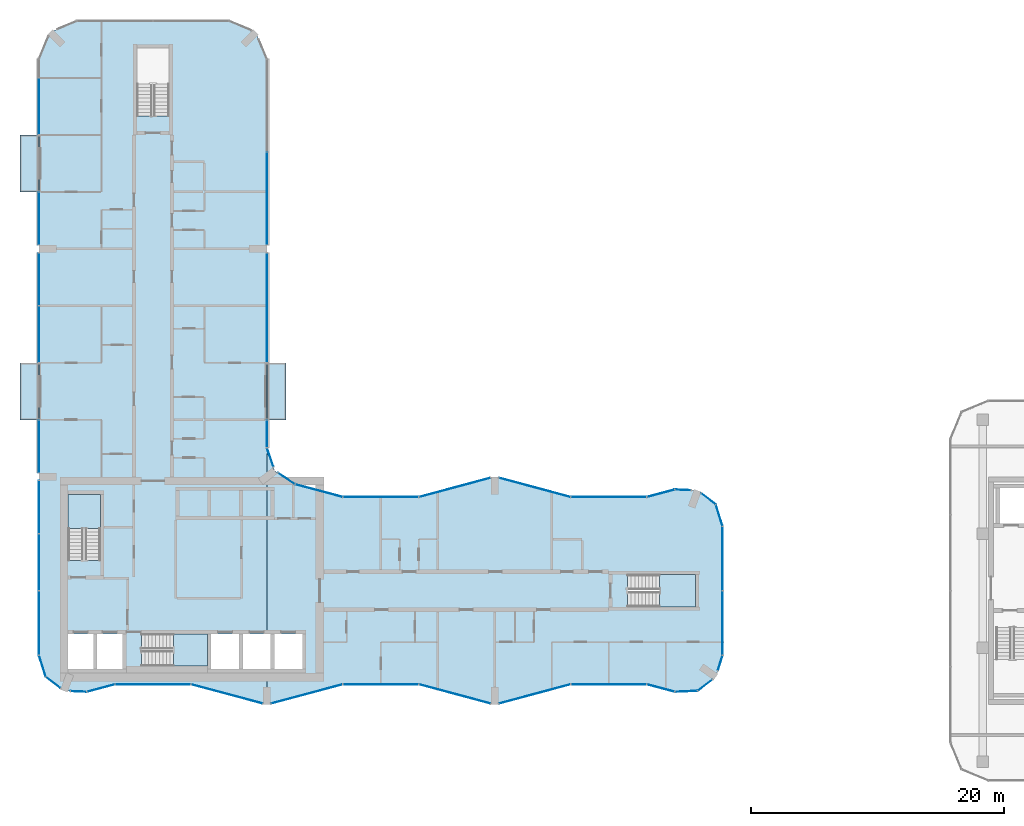
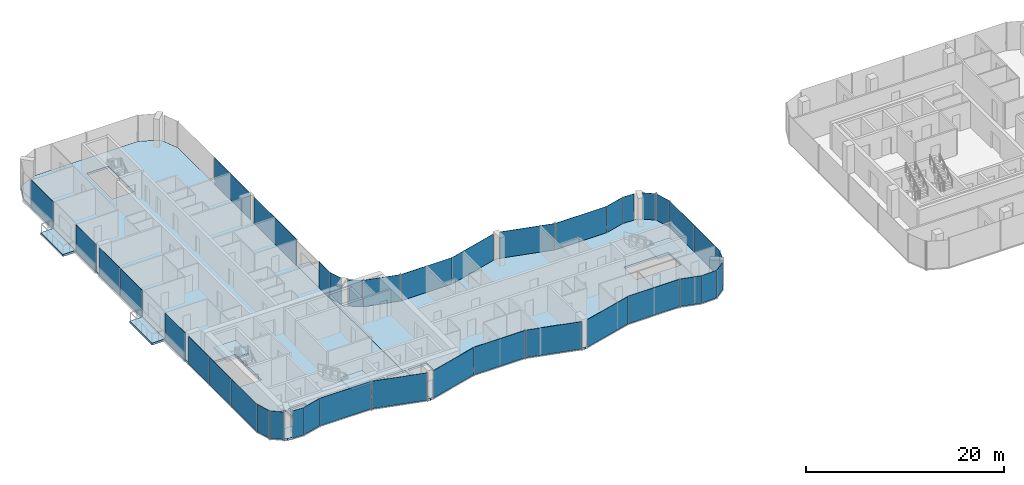
# One storey, part 11 of 22: 39 plates, 8 slabs, 38 elements without a shape of their own.
"""IFC4 building model written with IfcOpenShell, lengths in metres."""

from ifc_helpers import new_model, si_unit, direction, frame, origin, origin_2d, place, context, subcontext, project, spatial, polyline, rectangle, outline, extrude, material, layer, layer_set, type_object, element, aggregate, save


model = new_model("IFC4")

# Units and contexts
model_context = context("Model", 3, precision=1e-05, world=origin(), true_north=direction((0.0, 1.0)))
body_context = subcontext(model_context, "Body", "Model", "MODEL_VIEW")
ifc_project = project(units=[si_unit("LENGTHUNIT", "METRE"), si_unit("AREAUNIT", "SQUARE_METRE"), si_unit("VOLUMEUNIT", "CUBIC_METRE"), si_unit("PLANEANGLEUNIT", "RADIAN"), si_unit("MASSUNIT", "GRAM", prefix="KILO")], contexts=[model_context])

# Site, building, storey
site_placement = place(None, origin())
site = spatial("IfcSite", under=ifc_project, at=site_placement, CompositionType="ELEMENT")
building_placement = place(site_placement, origin())
building = spatial("IfcBuilding", under=site, at=building_placement, Name="Plateau Cross Towers", CompositionType="ELEMENT")
storey_placement = place(building_placement, frame((0.0, 0.0, 113.300048828125)))
storey = spatial("IfcBuildingStorey", under=building, at=storey_placement, Name="L29", CompositionType="ELEMENT", Elevation=113.300048828125)

# Slabs
ifc_material_1 = material(Name="Concrete C40/50", Category="concrete")
ifc_layer_1 = layer(ifc_material_1, 0.25)
ifc_layer_set_1 = layer_set([ifc_layer_1], Name="Concrete C40/50")
slab_type_1 = type_object("IfcSlabType", Name="Balcony slab 250", PredefinedType="FLOOR", material=ifc_layer_set_1)
slab_1_placement = place(storey_placement, frame((0.0, 0.0, -0.25)))
element("IfcSlab", 1, at=slab_1_placement, inside=storey, type_object=slab_type_1, Name="Balcony slab A-BAL-L29-01", PredefinedType="FLOOR", context=body_context, shape_type="SweptSolid", body=[
    extrude(outline(polyline([(0.0, 22.5), (0.0, 27.0), (-1.5, 27.0), (-1.5, 22.5), (0.0, 22.5)])), origin(), (0.0, 0.0, 1.0), 0.25),
])
slab_2_placement = place(storey_placement, frame((0.0, 0.0, -0.25)))
element("IfcSlab", 2, at=slab_2_placement, inside=storey, type_object=slab_type_1, Name="Balcony slab A-BAL-L29-02", PredefinedType="FLOOR", context=body_context, shape_type="SweptSolid", body=[
    extrude(outline(polyline([(0.0, 40.5), (0.0, 45.0), (-1.5, 45.0), (-1.5, 40.5), (0.0, 40.5)])), origin(), (0.0, 0.0, 1.0), 0.25),
])
slab_3_placement = place(storey_placement, frame((0.0, 0.0, -0.25)))
element("IfcSlab", 3, at=slab_3_placement, inside=storey, type_object=slab_type_1, Name="Balcony slab A-BAL-L29-03", PredefinedType="FLOOR", context=body_context, shape_type="SweptSolid", body=[
    extrude(outline(polyline([(19.5, 22.5), (19.5, 27.0), (18.0, 27.0), (18.0, 22.5), (19.5, 22.5)])), origin(), (0.0, 0.0, 1.0), 0.25),
])

# Curtain wall, plate
ifc_material_2 = material(Name="Dark low-iron glass", Category="glass")
ifc_layer_2 = layer(ifc_material_2, 0.239990234375)
ifc_layer_set_2 = layer_set([ifc_layer_2], Name="Dark low-iron glass")
curtain_wall_type_1 = type_object("IfcCurtainWallType", Name="Curtain wall flush unitised CW-B", PredefinedType="NOTDEFINED", material=ifc_layer_set_2)
curtain_wall_1_placement = place(storey_placement, origin())
curtain_wall_1 = element("IfcCurtainWall", 4, at=curtain_wall_1_placement, inside=storey, type_object=curtain_wall_type_1, Name="ENV/A/L29/A502_10", PredefinedType="NOTDEFINED")
ifc_layer_3 = layer(ifc_material_2, 0.031982421875)
ifc_layer_set_3 = layer_set([ifc_layer_3], Name="Dark low-iron glass")
plate_type_1 = type_object("IfcPlateType", Name="Glass panel 32 flush unitised", PredefinedType="CURTAIN_PANEL", material=ifc_layer_set_3)
plate_1_placement = place(storey_placement, frame((51.125, 1.05078125, -0.1298828125), z_axis=(0.0, 0.0, 1.0), x_axis=(0.999043701491, 0.043722791671, 0.0)))
plate_1 = element("IfcPlate", 5, at=plate_1_placement, type_object=plate_type_1, Name="CW-B panel 1", PredefinedType="CURTAIN_PANEL", context=body_context, shape_type="SweptSolid", body=[
    extrude(rectangle(XDim=1.744140625, YDim=0.031982421875, at=origin_2d()), origin(), (0.0, 0.0, 1.0), 3.3798828125),
])
aggregate(curtain_wall_1, [plate_1])

curtain_wall_2_placement = place(storey_placement, origin())
curtain_wall_2 = element("IfcCurtainWall", 6, at=curtain_wall_2_placement, inside=storey, type_object=curtain_wall_type_1, Name="ENV/A/L29/A520_11", PredefinedType="NOTDEFINED")
plate_2_placement = place(storey_placement, frame((52.60986328125, 1.5380859375, -0.1298828125), z_axis=(0.0, 0.0, 1.0), x_axis=(0.793315514529, 0.608810721331, 0.0)))
plate_2 = element("IfcPlate", 7, at=plate_2_placement, type_object=plate_type_1, Name="CW-B panel 1", PredefinedType="CURTAIN_PANEL", context=body_context, shape_type="SweptSolid", body=[
    extrude(rectangle(XDim=1.41162109375, YDim=0.031982421875, at=origin_2d()), origin(), (0.0, 0.0, 1.0), 3.3798828125),
])
aggregate(curtain_wall_2, [plate_2])

curtain_wall_3_placement = place(storey_placement, origin())
curtain_wall_3 = element("IfcCurtainWall", 8, at=curtain_wall_3_placement, inside=storey, type_object=curtain_wall_type_1, Name="ENV/A/L29/A536_27", PredefinedType="NOTDEFINED")
plate_3_placement = place(storey_placement, frame((53.805419921875, 3.292236328125, -0.1298828125), z_axis=(0.0, 0.0, 1.0), x_axis=(0.300686174994, 0.95372313811, 0.0)))
plate_3 = element("IfcPlate", 9, at=plate_3_placement, type_object=plate_type_1, Name="CW-B panel 1", PredefinedType="CURTAIN_PANEL", context=body_context, shape_type="SweptSolid", body=[
    extrude(rectangle(XDim=1.233642578125, YDim=0.031982421875, at=origin_2d()), origin(), (0.0, 0.0, 1.0), 3.3798828125),
])
aggregate(curtain_wall_3, [plate_3])

# Curtain wall, plates
curtain_wall_4_placement = place(storey_placement, origin())
curtain_wall_4 = element("IfcCurtainWall", 10, at=curtain_wall_4_placement, inside=storey, type_object=curtain_wall_type_1, Name="ENV/A/L29/A540_39", PredefinedType="NOTDEFINED")
plate_4_placement = place(storey_placement, frame((54.0, 6.45458984375, -0.1298828125), z_axis=(0.0, 0.0, 1.0), x_axis=(0.0, 1.0, 0.0)))
plate_4 = element("IfcPlate", 11, at=plate_4_placement, type_object=plate_type_1, Name="CW-B panel 1", PredefinedType="CURTAIN_PANEL", context=body_context, shape_type="SweptSolid", body=[
    extrude(rectangle(XDim=5.03076171875, YDim=0.031982421875, at=origin_2d()), origin(), (0.0, 0.0, 1.0), 3.3798828125),
])
plate_5_placement = place(storey_placement, frame((54.0, 11.54541015625, -0.1298828125), z_axis=(0.0, 0.0, 1.0), x_axis=(0.0, 1.0, 0.0)))
plate_5 = element("IfcPlate", 12, at=plate_5_placement, type_object=plate_type_1, Name="CW-B panel 2", PredefinedType="CURTAIN_PANEL", context=body_context, shape_type="SweptSolid", body=[
    extrude(rectangle(XDim=5.03076171875, YDim=0.031982421875, at=origin_2d()), origin(), (0.0, 0.0, 1.0), 3.3798828125),
])
aggregate(curtain_wall_4, [plate_4, plate_5])

# Curtain wall, plate
curtain_wall_5_placement = place(storey_placement, origin())
curtain_wall_5 = element("IfcCurtainWall", 13, at=curtain_wall_5_placement, inside=storey, type_object=curtain_wall_type_1, Name="ENV/A/L29/A540_141", PredefinedType="NOTDEFINED")
plate_6_placement = place(storey_placement, frame((53.728759765625, 14.951171875, -0.1298828125), z_axis=(0.0, 0.0, 1.0), x_axis=(-0.300686174994, 0.95372313811, 0.0)))
plate_6 = element("IfcPlate", 14, at=plate_6_placement, type_object=plate_type_1, Name="CW-B panel 1", PredefinedType="CURTAIN_PANEL", context=body_context, shape_type="SweptSolid", body=[
    extrude(rectangle(XDim=1.744140625, YDim=0.031982421875, at=origin_2d()), origin(), (0.0, 0.0, 1.0), 3.3798828125),
])
aggregate(curtain_wall_5, [plate_6])

curtain_wall_6_placement = place(storey_placement, origin())
curtain_wall_6 = element("IfcCurtainWall", 15, at=curtain_wall_6_placement, inside=storey, type_object=curtain_wall_type_1, Name="ENV/A/L29/A535_158", PredefinedType="NOTDEFINED")
plate_7_placement = place(storey_placement, frame((52.873779296875, 16.25927734375, -0.1298828125), z_axis=(0.0, 0.0, 1.0), x_axis=(-0.793315514529, 0.608810721331, 0.0)))
plate_7 = element("IfcPlate", 16, at=plate_7_placement, type_object=plate_type_1, Name="CW-B panel 1", PredefinedType="CURTAIN_PANEL", context=body_context, shape_type="SweptSolid", body=[
    extrude(rectangle(XDim=1.41162109375, YDim=0.031982421875, at=origin_2d()), origin(), (0.0, 0.0, 1.0), 3.3798828125),
])
aggregate(curtain_wall_6, [plate_7])

curtain_wall_7_placement = place(storey_placement, origin())
curtain_wall_7 = element("IfcCurtainWall", 17, at=curtain_wall_7_placement, inside=storey, type_object=curtain_wall_type_1, Name="ENV/A/L29/A515_169", PredefinedType="NOTDEFINED")
plate_8_placement = place(storey_placement, frame((50.8701171875, 16.96044921875, -0.1298828125), z_axis=(0.0, 0.0, 1.0), x_axis=(-0.999043701491, 0.043722791671, 0.0)))
plate_8 = element("IfcPlate", 18, at=plate_8_placement, type_object=plate_type_1, Name="CW-B panel 1", PredefinedType="CURTAIN_PANEL", context=body_context, shape_type="SweptSolid", body=[
    extrude(rectangle(XDim=1.233642578125, YDim=0.031982421875, at=origin_2d()), origin(), (0.0, 0.0, 1.0), 3.3798828125),
])
aggregate(curtain_wall_7, [plate_8])

curtain_wall_8_placement = place(storey_placement, origin())
curtain_wall_8 = element("IfcCurtainWall", 19, at=curtain_wall_8_placement, inside=storey, type_object=curtain_wall_type_1, Name="ENV/A/L29/A202_174", PredefinedType="NOTDEFINED")
plate_9_placement = place(storey_placement, frame((19.546630859375, 17.856689453125, -0.1298828125), z_axis=(0.0, 0.0, 1.0), x_axis=(-0.831521253329, 0.555492938984, 0.0)))
plate_9 = element("IfcPlate", 20, at=plate_9_placement, type_object=plate_type_1, Name="CW-B panel 1", PredefinedType="CURTAIN_PANEL", context=body_context, shape_type="SweptSolid", body=[
    extrude(rectangle(XDim=1.56884765625, YDim=0.031982421875, at=origin_2d()), origin(), (0.0, 0.0, 1.0), 3.3798828125),
])
aggregate(curtain_wall_8, [plate_9])

curtain_wall_9_placement = place(storey_placement, origin())
curtain_wall_9 = element("IfcCurtainWall", 21, at=curtain_wall_9_placement, inside=storey, type_object=curtain_wall_type_1, Name="ENV/A/L29/A185_188", PredefinedType="NOTDEFINED")
plate_10_placement = place(storey_placement, frame((18.26171875, 19.531005859375, -0.1298828125), z_axis=(0.0, 0.0, 1.0), x_axis=(-0.321469161574, 0.94692004845, 0.0)))
plate_10 = element("IfcPlate", 22, at=plate_10_placement, type_object=plate_type_1, Name="CW-B panel 1", PredefinedType="CURTAIN_PANEL", context=body_context, shape_type="SweptSolid", body=[
    extrude(rectangle(XDim=1.56884765625, YDim=0.031982421875, at=origin_2d()), origin(), (0.0, 0.0, 1.0), 3.3798828125),
])
aggregate(curtain_wall_9, [plate_10])

curtain_wall_10_placement = place(storey_placement, origin())
curtain_wall_10 = element("IfcCurtainWall", 23, at=curtain_wall_10_placement, inside=storey, type_object=curtain_wall_type_1, Name="ENV/A/L29/A180_203", PredefinedType="NOTDEFINED")
plate_11_placement = place(storey_placement, frame((18.0, 21.396240234375, -0.1298828125), z_axis=(0.0, 0.0, 1.0), x_axis=(0.0, 1.0, 0.0)))
plate_11 = element("IfcPlate", 24, at=plate_11_placement, type_object=plate_type_1, Name="CW-B panel 1", PredefinedType="CURTAIN_PANEL", context=body_context, shape_type="SweptSolid", body=[
    extrude(rectangle(XDim=2.127685546875, YDim=0.031982421875, at=origin_2d()), origin(), (0.0, 0.0, 1.0), 3.3798828125),
])
aggregate(curtain_wall_10, [plate_11])

curtain_wall_11_placement = place(storey_placement, origin())
curtain_wall_11 = element("IfcCurtainWall", 25, at=curtain_wall_11_placement, inside=storey, type_object=curtain_wall_type_1, Name="ENV/A/L29/A180_270", PredefinedType="NOTDEFINED")
plate_12_placement = place(storey_placement, frame((18.0, 31.35498046875, -0.1298828125), z_axis=(0.0, 0.0, 1.0), x_axis=(0.0, 1.0, 0.0)))
plate_12 = element("IfcPlate", 26, at=plate_12_placement, type_object=plate_type_1, Name="CW-B panel 1", PredefinedType="CURTAIN_PANEL", context=body_context, shape_type="SweptSolid", body=[
    extrude(rectangle(XDim=8.6298828125, YDim=0.031982421875, at=origin_2d()), origin(), (0.0, 0.0, 1.0), 3.3798828125),
])
aggregate(curtain_wall_11, [plate_12])

curtain_wall_12_placement = place(storey_placement, origin())
curtain_wall_12 = element("IfcCurtainWall", 27, at=curtain_wall_12_placement, inside=storey, type_object=curtain_wall_type_1, Name="ENV/A/L29/A180_363", PredefinedType="NOTDEFINED")
plate_13_placement = place(storey_placement, frame((18.0, 39.97509765625, -0.1298828125), z_axis=(0.0, 0.0, 1.0), x_axis=(0.0, 1.0, 0.0)))
plate_13 = element("IfcPlate", 28, at=plate_13_placement, type_object=plate_type_1, Name="CW-B panel 1", PredefinedType="CURTAIN_PANEL", context=body_context, shape_type="SweptSolid", body=[
    extrude(rectangle(XDim=7.2900390625, YDim=0.031982421875, at=origin_2d()), origin(), (0.0, 0.0, 1.0), 3.3798828125),
])
aggregate(curtain_wall_12, [plate_13])

curtain_wall_13_placement = place(storey_placement, origin())
curtain_wall_13 = element("IfcCurtainWall", 29, at=curtain_wall_13_placement, inside=storey, type_object=curtain_wall_type_1, Name="ENV/A/L29/A0_510", PredefinedType="NOTDEFINED")
plate_14_placement = place(storey_placement, frame((0.0, 47.2548828125, -0.1298828125), z_axis=(0.0, 0.0, 1.0), x_axis=(0.0, -1.0, 0.0)))
plate_14 = element("IfcPlate", 30, at=plate_14_placement, type_object=plate_type_1, Name="CW-B panel 2", PredefinedType="CURTAIN_PANEL", context=body_context, shape_type="SweptSolid", body=[
    extrude(rectangle(XDim=4.429931640625, YDim=0.031982421875, at=origin_2d()), origin(), (0.0, 0.0, 1.0), 3.3798828125),
])
aggregate(curtain_wall_13, [plate_14])

curtain_wall_14_placement = place(storey_placement, origin())
curtain_wall_14 = element("IfcCurtainWall", 31, at=curtain_wall_14_placement, inside=storey, type_object=curtain_wall_type_1, Name="ENV/A/L29/A0_405", PredefinedType="NOTDEFINED")
plate_15_placement = place(storey_placement, frame((0.0, 38.39501953125, -0.1298828125), z_axis=(0.0, 0.0, 1.0), x_axis=(0.0, -1.0, 0.0)))
plate_15 = element("IfcPlate", 32, at=plate_15_placement, type_object=plate_type_1, Name="CW-B panel 1", PredefinedType="CURTAIN_PANEL", context=body_context, shape_type="SweptSolid", body=[
    extrude(rectangle(XDim=4.1298828125, YDim=0.031982421875, at=origin_2d()), origin(), (0.0, 0.0, 1.0), 3.3798828125),
])
aggregate(curtain_wall_14, [plate_15])

# Curtain wall, plates
curtain_wall_15_placement = place(storey_placement, origin())
curtain_wall_15 = element("IfcCurtainWall", 33, at=curtain_wall_15_placement, inside=storey, type_object=curtain_wall_type_1, Name="ENV/A/L29/A0_357", PredefinedType="NOTDEFINED")
plate_16_placement = place(storey_placement, frame((0.0, 33.60009765625, -0.1298828125), z_axis=(0.0, 0.0, 1.0), x_axis=(0.0, -1.0, 0.0)))
plate_16 = element("IfcPlate", 34, at=plate_16_placement, type_object=plate_type_1, Name="CW-B panel 1", PredefinedType="CURTAIN_PANEL", context=body_context, shape_type="SweptSolid", body=[
    extrude(rectangle(XDim=4.139892578125, YDim=0.031982421875, at=origin_2d()), origin(), (0.0, 0.0, 1.0), 3.3798828125),
])
plate_17_placement = place(storey_placement, frame((0.0, 29.2548828125, -0.1298828125), z_axis=(0.0, 0.0, 1.0), x_axis=(0.0, -1.0, 0.0)))
plate_17 = element("IfcPlate", 35, at=plate_17_placement, type_object=plate_type_1, Name="CW-B panel 2", PredefinedType="CURTAIN_PANEL", context=body_context, shape_type="SweptSolid", body=[
    extrude(rectangle(XDim=4.429931640625, YDim=0.031982421875, at=origin_2d()), origin(), (0.0, 0.0, 1.0), 3.3798828125),
])
aggregate(curtain_wall_15, [plate_16, plate_17])

# Curtain wall, plate
curtain_wall_16_placement = place(storey_placement, origin())
curtain_wall_16 = element("IfcCurtainWall", 36, at=curtain_wall_16_placement, inside=storey, type_object=curtain_wall_type_1, Name="ENV/A/L29/A0_225", PredefinedType="NOTDEFINED")
plate_18_placement = place(storey_placement, frame((0.0, 20.39501953125, -0.1298828125), z_axis=(0.0, 0.0, 1.0), x_axis=(0.0, -1.0, 0.0)))
plate_18 = element("IfcPlate", 37, at=plate_18_placement, type_object=plate_type_1, Name="CW-B panel 1", PredefinedType="CURTAIN_PANEL", context=body_context, shape_type="SweptSolid", body=[
    extrude(rectangle(XDim=4.1298828125, YDim=0.031982421875, at=origin_2d()), origin(), (0.0, 0.0, 1.0), 3.3798828125),
])
aggregate(curtain_wall_16, [plate_18])

# Curtain wall, plates
curtain_wall_17_placement = place(storey_placement, origin())
curtain_wall_17 = element("IfcCurtainWall", 38, at=curtain_wall_17_placement, inside=storey, type_object=curtain_wall_type_1, Name="ENV/A/L29/A0_177", PredefinedType="NOTDEFINED")
plate_19_placement = place(storey_placement, frame((0.0, 15.60009765625, -0.1298828125), z_axis=(0.0, 0.0, 1.0), x_axis=(0.0, -1.0, 0.0)))
plate_19 = element("IfcPlate", 39, at=plate_19_placement, type_object=plate_type_1, Name="CW-B panel 1", PredefinedType="CURTAIN_PANEL", context=body_context, shape_type="SweptSolid", body=[
    extrude(rectangle(XDim=4.139892578125, YDim=0.031982421875, at=origin_2d()), origin(), (0.0, 0.0, 1.0), 3.3798828125),
])
plate_20_placement = place(storey_placement, frame((0.0, 11.25, -0.1298828125), z_axis=(0.0, 0.0, 1.0), x_axis=(0.0, -1.0, 0.0)))
plate_20 = element("IfcPlate", 40, at=plate_20_placement, type_object=plate_type_1, Name="CW-B panel 2", PredefinedType="CURTAIN_PANEL", context=body_context, shape_type="SweptSolid", body=[
    extrude(rectangle(XDim=4.43994140625, YDim=0.031982421875, at=origin_2d()), origin(), (0.0, 0.0, 1.0), 3.3798828125),
])
plate_21_placement = place(storey_placement, frame((0.0, 6.45458984375, -0.1298828125), z_axis=(0.0, 0.0, 1.0), x_axis=(0.0, -1.0, 0.0)))
plate_21 = element("IfcPlate", 41, at=plate_21_placement, type_object=plate_type_1, Name="CW-B panel 3", PredefinedType="CURTAIN_PANEL", context=body_context, shape_type="SweptSolid", body=[
    extrude(rectangle(XDim=5.03076171875, YDim=0.031982421875, at=origin_2d()), origin(), (0.0, 0.0, 1.0), 3.3798828125),
])
aggregate(curtain_wall_17, [plate_19, plate_20, plate_21])

# Curtain wall, plate
curtain_wall_18_placement = place(storey_placement, origin())
curtain_wall_18 = element("IfcCurtainWall", 42, at=curtain_wall_18_placement, inside=storey, type_object=curtain_wall_type_1, Name="ENV/A/L29/A0_39", PredefinedType="NOTDEFINED")
plate_22_placement = place(storey_placement, frame((0.271240234375, 3.048828125, -0.1298828125), z_axis=(0.0, 0.0, 1.0), x_axis=(0.300686174994, -0.95372313811, 0.0)))
plate_22 = element("IfcPlate", 43, at=plate_22_placement, type_object=plate_type_1, Name="CW-B panel 1", PredefinedType="CURTAIN_PANEL", context=body_context, shape_type="SweptSolid", body=[
    extrude(rectangle(XDim=1.744140625, YDim=0.031982421875, at=origin_2d()), origin(), (0.0, 0.0, 1.0), 3.3798828125),
])
aggregate(curtain_wall_18, [plate_22])

curtain_wall_19_placement = place(storey_placement, origin())
curtain_wall_19 = element("IfcCurtainWall", 44, at=curtain_wall_19_placement, inside=storey, type_object=curtain_wall_type_1, Name="ENV/A/L29/A5_22", PredefinedType="NOTDEFINED")
plate_23_placement = place(storey_placement, frame((1.126220703125, 1.74072265625, -0.1298828125), z_axis=(0.0, 0.0, 1.0), x_axis=(0.793315514529, -0.608810721331, 0.0)))
plate_23 = element("IfcPlate", 45, at=plate_23_placement, type_object=plate_type_1, Name="CW-B panel 1", PredefinedType="CURTAIN_PANEL", context=body_context, shape_type="SweptSolid", body=[
    extrude(rectangle(XDim=1.41162109375, YDim=0.031982421875, at=origin_2d()), origin(), (0.0, 0.0, 1.0), 3.3798828125),
])
aggregate(curtain_wall_19, [plate_23])

curtain_wall_20_placement = place(storey_placement, origin())
curtain_wall_20 = element("IfcCurtainWall", 46, at=curtain_wall_20_placement, inside=storey, type_object=curtain_wall_type_1, Name="ENV/A/L29/A25_11", PredefinedType="NOTDEFINED")
plate_24_placement = place(storey_placement, frame((3.1298828125, 1.03955078125, -0.1298828125), z_axis=(0.0, 0.0, 1.0), x_axis=(0.999043701491, -0.043722791671, 0.0)))
plate_24 = element("IfcPlate", 47, at=plate_24_placement, type_object=plate_type_1, Name="CW-B panel 1", PredefinedType="CURTAIN_PANEL", context=body_context, shape_type="SweptSolid", body=[
    extrude(rectangle(XDim=1.233642578125, YDim=0.031982421875, at=origin_2d()), origin(), (0.0, 0.0, 1.0), 3.3798828125),
])
aggregate(curtain_wall_20, [plate_24])

ifc_layer_4 = layer(ifc_material_2, 0.260009765625)
ifc_layer_set_4 = layer_set([ifc_layer_4], Name="Dark low-iron glass")
curtain_wall_type_2 = type_object("IfcCurtainWallType", Name="Curtain wall fluted unitised CW-A", PredefinedType="NOTDEFINED", material=ifc_layer_set_4)
curtain_wall_21_placement = place(storey_placement, origin())
curtain_wall_21 = element("IfcCurtainWall", 48, at=curtain_wall_21_placement, inside=storey, type_object=curtain_wall_type_2, Name="ENV/A/L29/A38_10", PredefinedType="NOTDEFINED")
ifc_layer_5 = layer(ifc_material_2, 0.035888671875)
ifc_layer_set_5 = layer_set([ifc_layer_5], Name="Dark low-iron glass")
plate_type_2 = type_object("IfcPlateType", Name="Glass panel 36 fluted unitised", PredefinedType="CURTAIN_PANEL", material=ifc_layer_set_5)
plate_25_placement = place(storey_placement, frame((4.887939453125, 1.30908203125, -0.1298828125), z_axis=(0.0, 0.0, 1.0), x_axis=(0.965957962328, 0.258699081978, 0.0)))
plate_25 = element("IfcPlate", 49, at=plate_25_placement, type_object=plate_type_2, Name="CW-A panel 1", PredefinedType="CURTAIN_PANEL", context=body_context, shape_type="SweptSolid", body=[
    extrude(rectangle(XDim=2.2421875, YDim=0.035888671875, at=origin_2d()), origin(), (0.0, 0.0, 1.0), 3.3798828125),
])
aggregate(curtain_wall_21, [plate_25])

curtain_wall_22_placement = place(storey_placement, origin())
curtain_wall_22 = element("IfcCurtainWall", 50, at=curtain_wall_22_placement, inside=storey, type_object=curtain_wall_type_2, Name="ENV/A/L29/A60_16", PredefinedType="NOTDEFINED")
plate_26_placement = place(storey_placement, frame((9.0, 1.60693359375, -0.1298828125), z_axis=(0.0, 0.0, 1.0), x_axis=(1.0, 0.0, 0.0)))
plate_26 = element("IfcPlate", 51, at=plate_26_placement, type_object=plate_type_2, Name="CW-A panel 1", PredefinedType="CURTAIN_PANEL", context=body_context, shape_type="SweptSolid", body=[
    extrude(rectangle(XDim=5.93994140625, YDim=0.035888671875, at=origin_2d()), origin(), (0.0, 0.0, 1.0), 3.3798828125),
])
aggregate(curtain_wall_22, [plate_26])

curtain_wall_23_placement = place(storey_placement, origin())
curtain_wall_23 = element("IfcCurtainWall", 52, at=curtain_wall_23_placement, inside=storey, type_object=curtain_wall_type_2, Name="ENV/A/L29/A120_16", PredefinedType="NOTDEFINED")
plate_27_placement = place(storey_placement, frame((14.841064453125, 0.845947265625, -0.1298828125), z_axis=(0.0, 0.0, 1.0), x_axis=(0.965957983404, -0.258699003279, 0.0)))
plate_27 = element("IfcPlate", 53, at=plate_27_placement, type_object=plate_type_2, Name="CW-A panel 1", PredefinedType="CURTAIN_PANEL", context=body_context, shape_type="SweptSolid", body=[
    extrude(rectangle(XDim=5.822265625, YDim=0.035888671875, at=origin_2d()), origin(), (0.0, 0.0, 1.0), 3.3798828125),
])
aggregate(curtain_wall_23, [plate_27])

curtain_wall_24_placement = place(storey_placement, origin())
curtain_wall_24 = element("IfcCurtainWall", 54, at=curtain_wall_24_placement, inside=storey, type_object=curtain_wall_type_2, Name="ENV/A/L29/A183_1", PredefinedType="NOTDEFINED")
plate_28_placement = place(storey_placement, frame((21.158935546875, 0.845947265625, -0.1298828125), z_axis=(0.0, 0.0, 1.0), x_axis=(0.965957983404, 0.258699003279, 0.0)))
plate_28 = element("IfcPlate", 55, at=plate_28_placement, type_object=plate_type_2, Name="CW-A panel 1", PredefinedType="CURTAIN_PANEL", context=body_context, shape_type="SweptSolid", body=[
    extrude(rectangle(XDim=5.822265625, YDim=0.035888671875, at=origin_2d()), origin(), (0.0, 0.0, 1.0), 3.3798828125),
])
aggregate(curtain_wall_24, [plate_28])

curtain_wall_25_placement = place(storey_placement, origin())
curtain_wall_25 = element("IfcCurtainWall", 56, at=curtain_wall_25_placement, inside=storey, type_object=curtain_wall_type_2, Name="ENV/A/L29/A240_16", PredefinedType="NOTDEFINED")
plate_29_placement = place(storey_placement, frame((27.0, 1.60693359375, -0.1298828125), z_axis=(0.0, 0.0, 1.0), x_axis=(1.0, 0.0, 0.0)))
plate_29 = element("IfcPlate", 57, at=plate_29_placement, type_object=plate_type_2, Name="CW-A panel 1", PredefinedType="CURTAIN_PANEL", context=body_context, shape_type="SweptSolid", body=[
    extrude(rectangle(XDim=5.93994140625, YDim=0.035888671875, at=origin_2d()), origin(), (0.0, 0.0, 1.0), 3.3798828125),
])
aggregate(curtain_wall_25, [plate_29])

curtain_wall_26_placement = place(storey_placement, origin())
curtain_wall_26 = element("IfcCurtainWall", 58, at=curtain_wall_26_placement, inside=storey, type_object=curtain_wall_type_2, Name="ENV/A/L29/A300_16", PredefinedType="NOTDEFINED")
plate_30_placement = place(storey_placement, frame((32.841064453125, 0.845947265625, -0.1298828125), z_axis=(0.0, 0.0, 1.0), x_axis=(0.965957983404, -0.258699003279, 0.0)))
plate_30 = element("IfcPlate", 59, at=plate_30_placement, type_object=plate_type_2, Name="CW-A panel 1", PredefinedType="CURTAIN_PANEL", context=body_context, shape_type="SweptSolid", body=[
    extrude(rectangle(XDim=5.822265625, YDim=0.035888671875, at=origin_2d()), origin(), (0.0, 0.0, 1.0), 3.3798828125),
])
aggregate(curtain_wall_26, [plate_30])

curtain_wall_27_placement = place(storey_placement, origin())
curtain_wall_27 = element("IfcCurtainWall", 60, at=curtain_wall_27_placement, inside=storey, type_object=curtain_wall_type_2, Name="ENV/A/L29/A363_1", PredefinedType="NOTDEFINED")
plate_31_placement = place(storey_placement, frame((39.158935546875, 0.845947265625, -0.1298828125), z_axis=(0.0, 0.0, 1.0), x_axis=(0.965957983404, 0.258699003279, 0.0)))
plate_31 = element("IfcPlate", 61, at=plate_31_placement, type_object=plate_type_2, Name="CW-A panel 1", PredefinedType="CURTAIN_PANEL", context=body_context, shape_type="SweptSolid", body=[
    extrude(rectangle(XDim=5.822265625, YDim=0.035888671875, at=origin_2d()), origin(), (0.0, 0.0, 1.0), 3.3798828125),
])
aggregate(curtain_wall_27, [plate_31])

curtain_wall_28_placement = place(storey_placement, origin())
curtain_wall_28 = element("IfcCurtainWall", 62, at=curtain_wall_28_placement, inside=storey, type_object=curtain_wall_type_2, Name="ENV/A/L29/A420_16", PredefinedType="NOTDEFINED")
plate_32_placement = place(storey_placement, frame((45.0, 1.60693359375, -0.1298828125), z_axis=(0.0, 0.0, 1.0), x_axis=(1.0, 0.0, 0.0)))
plate_32 = element("IfcPlate", 63, at=plate_32_placement, type_object=plate_type_2, Name="CW-A panel 1", PredefinedType="CURTAIN_PANEL", context=body_context, shape_type="SweptSolid", body=[
    extrude(rectangle(XDim=5.93994140625, YDim=0.035888671875, at=origin_2d()), origin(), (0.0, 0.0, 1.0), 3.3798828125),
])
aggregate(curtain_wall_28, [plate_32])

curtain_wall_29_placement = place(storey_placement, origin())
curtain_wall_29 = element("IfcCurtainWall", 64, at=curtain_wall_29_placement, inside=storey, type_object=curtain_wall_type_2, Name="ENV/A/L29/A480_16", PredefinedType="NOTDEFINED")
plate_33_placement = place(storey_placement, frame((49.112060546875, 1.30908203125, -0.1298828125), z_axis=(0.0, 0.0, 1.0), x_axis=(0.965957962328, -0.258699081978, 0.0)))
plate_33 = element("IfcPlate", 65, at=plate_33_placement, type_object=plate_type_2, Name="CW-A panel 1", PredefinedType="CURTAIN_PANEL", context=body_context, shape_type="SweptSolid", body=[
    extrude(rectangle(XDim=2.2421875, YDim=0.035888671875, at=origin_2d()), origin(), (0.0, 0.0, 1.0), 3.3798828125),
])
aggregate(curtain_wall_29, [plate_33])

curtain_wall_30_placement = place(storey_placement, origin())
curtain_wall_30 = element("IfcCurtainWall", 66, at=curtain_wall_30_placement, inside=storey, type_object=curtain_wall_type_2, Name="ENV/A/L29/A502_170", PredefinedType="NOTDEFINED")
plate_34_placement = place(storey_placement, frame((49.112060546875, 16.69091796875, -0.1298828125), z_axis=(0.0, 0.0, 1.0), x_axis=(-0.965957962328, -0.258699081978, 0.0)))
plate_34 = element("IfcPlate", 67, at=plate_34_placement, type_object=plate_type_2, Name="CW-A panel 1", PredefinedType="CURTAIN_PANEL", context=body_context, shape_type="SweptSolid", body=[
    extrude(rectangle(XDim=2.2421875, YDim=0.035888671875, at=origin_2d()), origin(), (0.0, 0.0, 1.0), 3.3798828125),
])
aggregate(curtain_wall_30, [plate_34])

curtain_wall_31_placement = place(storey_placement, origin())
curtain_wall_31 = element("IfcCurtainWall", 68, at=curtain_wall_31_placement, inside=storey, type_object=curtain_wall_type_2, Name="ENV/A/L29/A480_164", PredefinedType="NOTDEFINED")
plate_35_placement = place(storey_placement, frame((45.0, 16.39306640625, -0.1298828125), z_axis=(0.0, 0.0, 1.0), x_axis=(-1.0, 0.0, 0.0)))
plate_35 = element("IfcPlate", 69, at=plate_35_placement, type_object=plate_type_2, Name="CW-A panel 1", PredefinedType="CURTAIN_PANEL", context=body_context, shape_type="SweptSolid", body=[
    extrude(rectangle(XDim=5.93994140625, YDim=0.035888671875, at=origin_2d()), origin(), (0.0, 0.0, 1.0), 3.3798828125),
])
aggregate(curtain_wall_31, [plate_35])

curtain_wall_32_placement = place(storey_placement, origin())
curtain_wall_32 = element("IfcCurtainWall", 70, at=curtain_wall_32_placement, inside=storey, type_object=curtain_wall_type_2, Name="ENV/A/L29/A420_164", PredefinedType="NOTDEFINED")
plate_36_placement = place(storey_placement, frame((39.158935546875, 17.154052734375, -0.1298828125), z_axis=(0.0, 0.0, 1.0), x_axis=(-0.965957983404, 0.258699003279, 0.0)))
plate_36 = element("IfcPlate", 71, at=plate_36_placement, type_object=plate_type_2, Name="CW-A panel 1", PredefinedType="CURTAIN_PANEL", context=body_context, shape_type="SweptSolid", body=[
    extrude(rectangle(XDim=5.822265625, YDim=0.035888671875, at=origin_2d()), origin(), (0.0, 0.0, 1.0), 3.3798828125),
])
aggregate(curtain_wall_32, [plate_36])

curtain_wall_33_placement = place(storey_placement, origin())
curtain_wall_33 = element("IfcCurtainWall", 72, at=curtain_wall_33_placement, inside=storey, type_object=curtain_wall_type_2, Name="ENV/A/L29/A357_179", PredefinedType="NOTDEFINED")
plate_37_placement = place(storey_placement, frame((32.841064453125, 17.154052734375, -0.1298828125), z_axis=(0.0, 0.0, 1.0), x_axis=(-0.965957983404, -0.258699003279, 0.0)))
plate_37 = element("IfcPlate", 73, at=plate_37_placement, type_object=plate_type_2, Name="CW-A panel 1", PredefinedType="CURTAIN_PANEL", context=body_context, shape_type="SweptSolid", body=[
    extrude(rectangle(XDim=5.822265625, YDim=0.035888671875, at=origin_2d()), origin(), (0.0, 0.0, 1.0), 3.3798828125),
])
aggregate(curtain_wall_33, [plate_37])

curtain_wall_34_placement = place(storey_placement, origin())
curtain_wall_34 = element("IfcCurtainWall", 74, at=curtain_wall_34_placement, inside=storey, type_object=curtain_wall_type_2, Name="ENV/A/L29/A300_164", PredefinedType="NOTDEFINED")
plate_38_placement = place(storey_placement, frame((27.0, 16.39306640625, -0.1298828125), z_axis=(0.0, 0.0, 1.0), x_axis=(-1.0, 0.0, 0.0)))
plate_38 = element("IfcPlate", 75, at=plate_38_placement, type_object=plate_type_2, Name="CW-A panel 1", PredefinedType="CURTAIN_PANEL", context=body_context, shape_type="SweptSolid", body=[
    extrude(rectangle(XDim=5.93994140625, YDim=0.035888671875, at=origin_2d()), origin(), (0.0, 0.0, 1.0), 3.3798828125),
])
aggregate(curtain_wall_34, [plate_38])

curtain_wall_35_placement = place(storey_placement, origin())
curtain_wall_35 = element("IfcCurtainWall", 76, at=curtain_wall_35_placement, inside=storey, type_object=curtain_wall_type_2, Name="ENV/A/L29/A240_164", PredefinedType="NOTDEFINED")
plate_39_placement = place(storey_placement, frame((22.112060546875, 16.898681640625, -0.1298828125), z_axis=(0.0, 0.0, 1.0), x_axis=(-0.965957995816, 0.258698956933, 0.0)))
plate_39 = element("IfcPlate", 77, at=plate_39_placement, type_object=plate_type_2, Name="CW-A panel 1", PredefinedType="CURTAIN_PANEL", context=body_context, shape_type="SweptSolid", body=[
    extrude(rectangle(XDim=3.84912109375, YDim=0.035888671875, at=origin_2d()), origin(), (0.0, 0.0, 1.0), 3.3798828125),
])
aggregate(curtain_wall_35, [plate_39])

# Slabs
ifc_layer_6 = layer(ifc_material_1, 0.25)
ifc_layer_set_6 = layer_set([ifc_layer_6], Name="Concrete C40/50")
slab_type_2 = type_object("IfcSlabType", Name="Post-tensioned flat plate slab 250", PredefinedType="FLOOR", material=ifc_layer_set_6)
slab_4_placement = place(storey_placement, frame((0.0, 0.0, -0.25)))
element("IfcSlab", 78, at=slab_4_placement, inside=storey, type_object=slab_type_2, Name="SL-A-L29 1", PredefinedType="FLOOR", context=body_context, shape_type="SweptSolid", body=[
    extrude(outline(polyline([(0.54248046875, 2.1884765625), (0.0, 3.9091796875), (0.0, 51.0), (0.878662109375, 53.121337890625), (3.0, 54.0), (15.0, 54.0), (17.121337890625, 53.121337890625), (18.0, 51.0), (18.0, 20.30224609375), (18.0, 5.60009765625), (16.10009765625, 5.60009765625), (16.10009765625, 2.800048828125), (18.0, 2.800048828125), (18.0, 0.0), (12.0, 1.60693359375), (6.0, 1.60693359375), (3.776123046875, 1.01123046875), (1.9736328125, 1.090087890625), (0.54248046875, 2.1884765625)]), holes=[polyline([(4.300048828125, 5.60009765625), (2.300048828125, 5.60009765625), (2.300048828125, 2.800048828125), (4.300048828125, 2.800048828125), (4.300048828125, 5.60009765625)]), polyline([(6.60009765625, 5.60009765625), (4.60009765625, 5.60009765625), (4.60009765625, 2.800048828125), (6.60009765625, 2.800048828125), (6.60009765625, 5.60009765625)]), polyline([(15.800048828125, 5.60009765625), (13.60009765625, 5.60009765625), (13.60009765625, 2.800048828125), (15.800048828125, 2.800048828125), (15.800048828125, 5.60009765625)]), polyline([(13.300048828125, 5.60009765625), (8.10009765625, 5.60009765625), (8.10009765625, 3.050048828125), (13.300048828125, 3.050048828125), (13.300048828125, 5.60009765625)]), polyline([(4.85009765625, 16.60009765625), (2.300048828125, 16.60009765625), (2.300048828125, 11.39990234375), (4.85009765625, 11.39990234375), (4.85009765625, 16.60009765625)]), polyline([(7.72509765625, 51.699951171875), (7.72509765625, 46.5), (10.27490234375, 46.5), (10.27490234375, 51.699951171875), (7.72509765625, 51.699951171875)])]), origin(), (0.0, 0.0, 1.0), 0.25),
])
slab_5_placement = place(storey_placement, frame((0.0, 0.0, -0.25)))
element("IfcSlab", 79, at=slab_5_placement, inside=storey, type_object=slab_type_2, Name="SL-A-L29 2", PredefinedType="FLOOR", context=body_context, shape_type="SweptSolid", body=[
    extrude(outline(polyline([(18.6201171875, 18.475830078125), (20.223876953125, 17.404296875), (24.0, 16.39306640625), (30.0, 16.39306640625), (36.0, 18.0), (42.0, 16.39306640625), (48.0, 16.39306640625), (50.223876953125, 16.98876953125), (52.0263671875, 16.909912109375), (53.45751953125, 15.8115234375), (54.0, 14.0908203125), (54.0, 3.9091796875), (53.45751953125, 2.1884765625), (52.0263671875, 1.090087890625), (50.223876953125, 1.01123046875), (48.0, 1.60693359375), (42.0, 1.60693359375), (36.0, 0.0), (30.0, 1.60693359375), (24.0, 1.60693359375), (18.0, 0.0), (18.0, 2.800048828125), (18.300048828125, 2.800048828125), (18.300048828125, 5.60009765625), (18.0, 5.60009765625), (18.0, 20.30224609375), (18.6201171875, 18.475830078125)]), holes=[polyline([(20.800048828125, 5.60009765625), (18.60009765625, 5.60009765625), (18.60009765625, 2.800048828125), (20.800048828125, 2.800048828125), (20.800048828125, 5.60009765625)]), polyline([(51.699951171875, 7.72509765625), (51.699951171875, 10.27490234375), (46.5, 10.27490234375), (46.5, 7.72509765625), (51.699951171875, 7.72509765625)])]), origin(), (0.0, 0.0, 1.0), 0.25),
])

# Stair, slab
stair_type = type_object("IfcStairType", Name="ST-TWR", PredefinedType="HALF_TURN_STAIR", material=ifc_material_1)
stair_1_placement = place(storey_placement, origin())
stair_1 = element("IfcStair", 80, at=stair_1_placement, inside=storey, type_object=stair_type, Name="L29 Protected Exit Stair ST-1", PredefinedType="HALF_TURN_STAIR")
ifc_layer_7 = layer(ifc_material_1, 0.199951171875)
ifc_layer_set_7 = layer_set([ifc_layer_7], Name="Concrete C40/50")
slab_type_3 = type_object("IfcSlabType", Name="SL-LANDING", PredefinedType="LANDING", material=ifc_layer_set_7)
slab_6_placement = place(storey_placement, frame((0.0, 0.0, 1.550048828125)))
slab_6 = element("IfcSlab", 81, at=slab_6_placement, type_object=slab_type_3, Name="ST-1 landing 1", PredefinedType="LANDING", context=body_context, shape_type="SweptSolid", body=[
    extrude(outline(polyline([(4.85009765625, 13.919921875), (4.85009765625, 16.60009765625), (2.300048828125, 16.60009765625), (2.300048828125, 13.919921875), (4.85009765625, 13.919921875)])), origin(), (0.0, 0.0, 1.0), 0.199951171875),
])
aggregate(stair_1, [slab_6])

stair_2_placement = place(storey_placement, origin())
stair_2 = element("IfcStair", 82, at=stair_2_placement, inside=storey, type_object=stair_type, Name="L29 Protected Exit Stair ST-2", PredefinedType="HALF_TURN_STAIR")
slab_7_placement = place(storey_placement, frame((0.0, 0.0, 1.550048828125)))
slab_7 = element("IfcSlab", 83, at=slab_7_placement, type_object=slab_type_3, Name="ST-2 landing 1", PredefinedType="LANDING", context=body_context, shape_type="SweptSolid", body=[
    extrude(outline(polyline([(10.6201171875, 3.050048828125), (13.300048828125, 3.050048828125), (13.300048828125, 5.60009765625), (10.6201171875, 5.60009765625), (10.6201171875, 3.050048828125)])), origin(), (0.0, 0.0, 1.0), 0.199951171875),
])
aggregate(stair_2, [slab_7])

stair_3_placement = place(storey_placement, origin())
stair_3 = element("IfcStair", 84, at=stair_3_placement, inside=storey, type_object=stair_type, Name="L29 Protected Exit Stair E", PredefinedType="HALF_TURN_STAIR")
slab_8_placement = place(storey_placement, frame((0.0, 0.0, 1.550048828125)))
slab_8 = element("IfcSlab", 85, at=slab_8_placement, type_object=slab_type_3, Name="ES-E landing 1", PredefinedType="LANDING", context=body_context, shape_type="SweptSolid", body=[
    extrude(outline(polyline([(49.02001953125, 7.72509765625), (51.85009765625, 7.72509765625), (51.85009765625, 10.27490234375), (49.02001953125, 10.27490234375), (49.02001953125, 7.72509765625)])), origin(), (0.0, 0.0, 1.0), 0.199951171875),
])
aggregate(stair_3, [slab_8])

save(model, "model.ifc")
